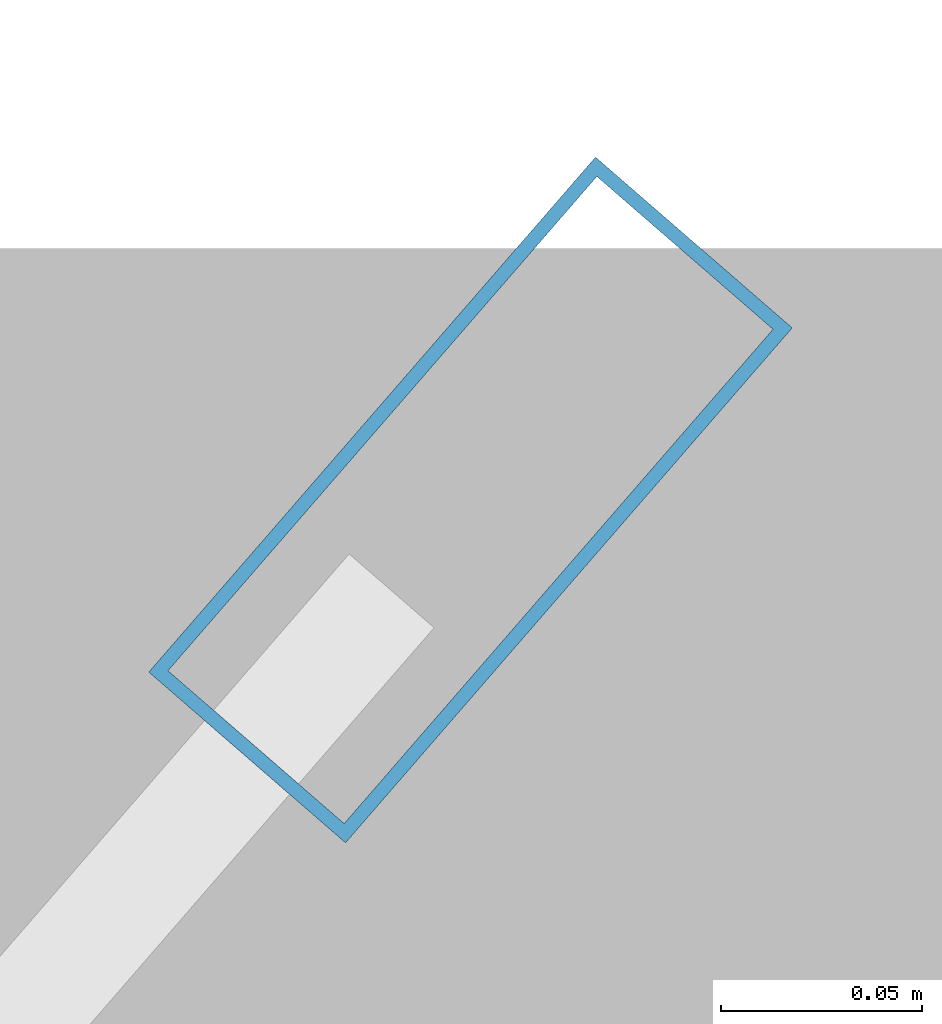
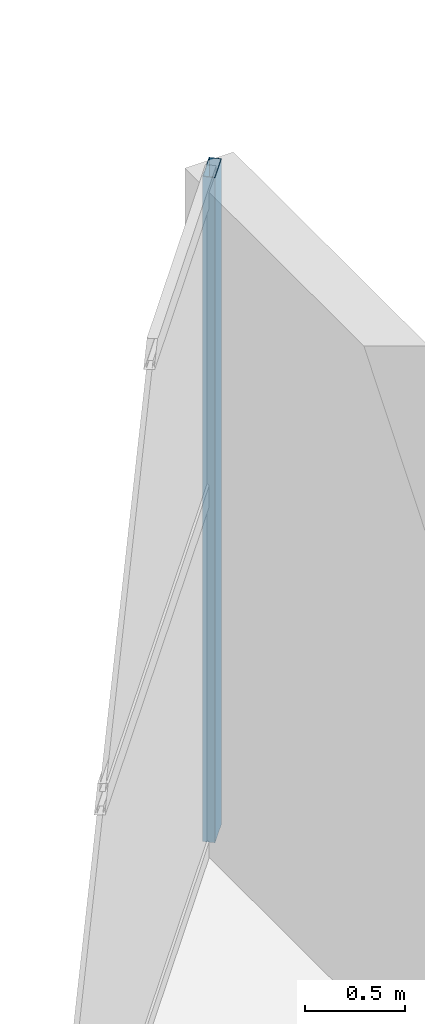
# One storey, part 22 of 29: 1 member, 1 element without a shape of its own.
"""IFC4 building model written with IfcOpenShell, lengths in metres."""

from ifc_helpers import new_model, si_unit, direction, frame, origin, origin_2d, place, context, subcontext, project, spatial, hollow_rectangle, extrude, material, layer, layer_set, material_profile, profile_set, type_object, element, aggregate, save


model = new_model("IFC4")

# Units and contexts
model_context = context("Model", 3, precision=1e-05, world=origin(), true_north=direction((0.0, 1.0)))
body_context = subcontext(model_context, "Body", "Model", "MODEL_VIEW")
ifc_project = project(units=[si_unit("LENGTHUNIT", "METRE"), si_unit("AREAUNIT", "SQUARE_METRE"), si_unit("VOLUMEUNIT", "CUBIC_METRE"), si_unit("PLANEANGLEUNIT", "RADIAN"), si_unit("MASSUNIT", "GRAM", prefix="KILO")], contexts=[model_context])

# Site, building, storey
site_placement = place(None, origin())
site = spatial("IfcSite", under=ifc_project, at=site_placement, CompositionType="ELEMENT")
building_placement = place(site_placement, origin())
building = spatial("IfcBuilding", under=site, at=building_placement, Name="Calvorn Quay Hotel", CompositionType="ELEMENT")
storey_placement = place(building_placement, frame((0.0, 0.0, 259.0)))
storey = spatial("IfcBuildingStorey", under=building, at=storey_placement, Name="L64", CompositionType="ELEMENT", Elevation=259.0)

# Curtain wall, member
ifc_material_1 = material(Name="Champagne Bronze Anodised Aluminium and Low-E Glass", Category="aluminium")
ifc_layer = layer(ifc_material_1, 0.219970703125)
ifc_layer_set = layer_set([ifc_layer], Name="CW-SYS-Z4")
curtain_wall_type = type_object("IfcCurtainWallType", Name="CW-SYS-Z4", PredefinedType="NOTDEFINED", material=ifc_layer_set)
curtain_wall_placement = place(storey_placement, origin())
curtain_wall = element("IfcCurtainWall", 1, at=curtain_wall_placement, inside=storey, type_object=curtain_wall_type, Name="Inner Court Curtain Wall L64-NE1", PredefinedType="NOTDEFINED")
ifc_material_2 = material(Name="Champagne Bronze Anodised Aluminium 6063-T6", Category="aluminium")
ifc_material_profile = material_profile(ifc_material_2, hollow_rectangle(XDim=0.06494140625, YDim=0.169921875, WallThickness=0.00341796875, at=origin_2d()), Name="ALU-M170x65x3.5")
ifc_profile_set = profile_set([ifc_material_profile], Name="Champagne Bronze Anodised Aluminium 6063-T6")
member_type = type_object("IfcMemberType", Name="CW-SYS-Z4-MUL", PredefinedType="MULLION", material=ifc_profile_set)
member_placement = place(storey_placement, frame((33.38037109375, 37.977294921875, 0.0), z_axis=(0.0, 0.0, 1.0), x_axis=(0.755322467304, -0.655353317216, 0.0)))
member = element("IfcMember", 2, at=member_placement, type_object=member_type, Name="CW-L64-NE1 mullion 1", PredefinedType="MULLION", context=body_context, shape_type="SweptSolid", body=[
    extrude(hollow_rectangle(XDim=0.06494140625, YDim=0.169921875, WallThickness=0.00341796875, at=origin_2d()), origin(), (0.0, 0.0, 1.0), 4.050048828125),
])
aggregate(curtain_wall, [member])

save(model, "model.ifc")
